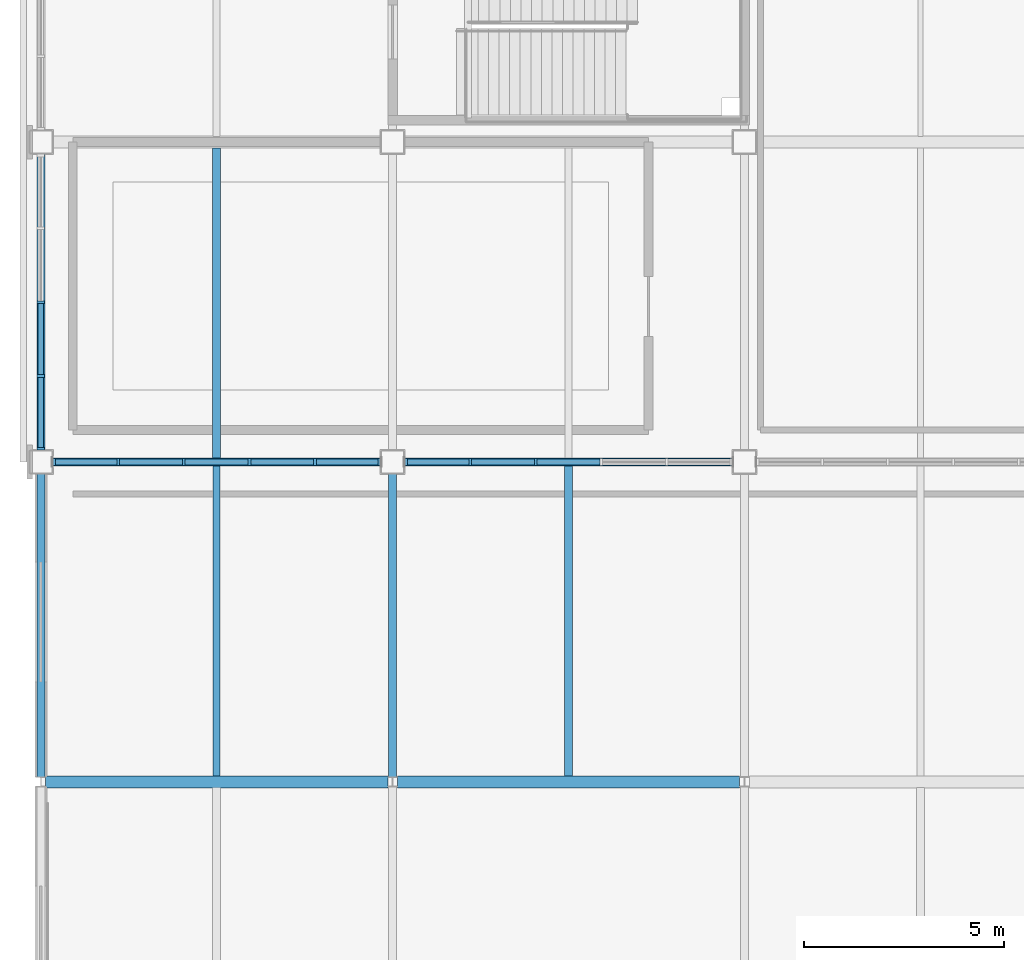
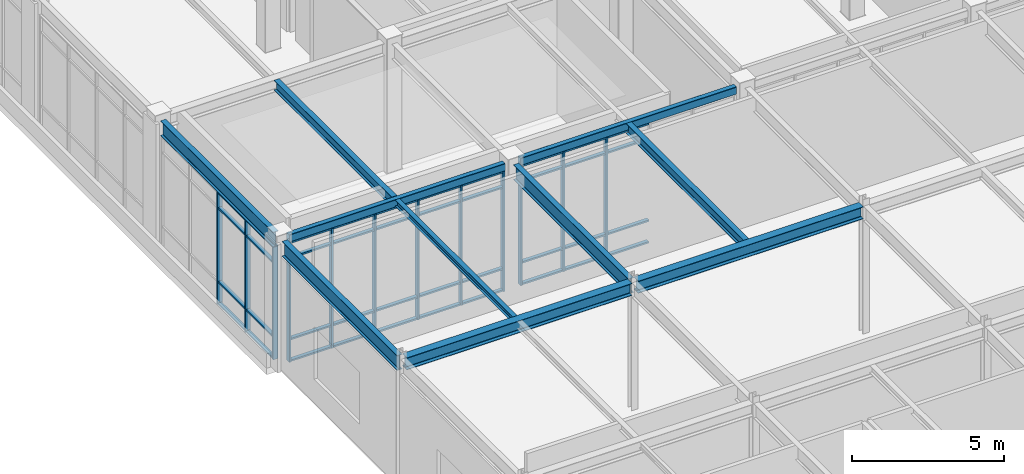
# One storey, part 28 of 184: 52 members, 10 beams, 3 elements without a shape of their own.
"""IFC4 building model written with IfcOpenShell, lengths in metres."""

from ifc_helpers import new_model, si_unit, direction, frame, origin, origin_2d, place, context, subcontext, project, spatial, rectangle, hollow_rectangle, i_section, extrude, material, material_profile, profile_set, type_object, element, aggregate, save


model = new_model("IFC4")

# Units and contexts
model_context = context("Model", 3, precision=1e-05, world=origin(), true_north=direction((0.0, 1.0)))
body_context = subcontext(model_context, "Body", "Model", "MODEL_VIEW")
ifc_project = project(units=[si_unit("LENGTHUNIT", "METRE"), si_unit("AREAUNIT", "SQUARE_METRE"), si_unit("VOLUMEUNIT", "CUBIC_METRE"), si_unit("PLANEANGLEUNIT", "RADIAN"), si_unit("MASSUNIT", "GRAM", prefix="KILO")], contexts=[model_context])

# Site, building, storey
site_placement = place(None, origin())
site = spatial("IfcSite", under=ifc_project, at=site_placement, CompositionType="ELEMENT")
building_placement = place(site_placement, origin())
building = spatial("IfcBuilding", under=site, at=building_placement, Name="Zhaolan Boulevard Law Courts", CompositionType="ELEMENT")
storey_placement = place(building_placement, frame((0.0, 0.0, 5.39990234375)))
storey = spatial("IfcBuildingStorey", under=building, at=storey_placement, Name="L01", CompositionType="ELEMENT", Elevation=5.39990234375)

# Curtain wall, members
ifc_material_1 = material(Name="Thermally broken aluminium and low-E glazing", Category="aluminium")
curtain_wall_type_1 = type_object("IfcCurtainWallType", Name="CURTAIN WALL M19", PredefinedType="USERDEFINED", material=ifc_material_1)
curtain_wall_1_placement = place(storey_placement, origin())
curtain_wall_1 = element("IfcCurtainWall", 1, at=curtain_wall_1_placement, inside=storey, type_object=curtain_wall_type_1, Name="Curtain Wall CW-L01-043", ObjectType="CURTAIN WALL", PredefinedType="USERDEFINED")
ifc_material_2 = material(Name="Fluorocarbon-coated aluminium 6063-T6", Category="aluminium")
ifc_material_profile_1 = material_profile(ifc_material_2, rectangle(XDim=0.179931640625, YDim=0.06494140625, at=origin_2d()), Name="AL65x180")
ifc_profile_set_1 = profile_set([ifc_material_profile_1], Name="Fluorocarbon-coated aluminium 6063-T6")
member_type_1 = type_object("IfcMemberType", Name="CWMULLION 65X180", PredefinedType="MULLION", material=ifc_profile_set_1)
member_1_placement = place(storey_placement, frame((8.465576171875, 30.0, 0.0), z_axis=(0.0, 0.0, 1.0), x_axis=(0.0, -1.0, 0.0)))
member_1 = element("IfcMember", 2, at=member_1_placement, type_object=member_type_1, Name="CW-L01-043 mullion 1", PredefinedType="MULLION", context=body_context, shape_type="SweptSolid", body=[
    extrude(rectangle(XDim=0.179931640625, YDim=0.06494140625, at=origin_2d()), origin(), (0.0, 0.0, 1.0), 4.822998046875),
])
member_2_placement = place(storey_placement, frame((6.85888671875, 30.0, 0.0), z_axis=(0.0, 0.0, 1.0), x_axis=(0.0, -1.0, 0.0)))
member_2 = element("IfcMember", 3, at=member_2_placement, type_object=member_type_1, Name="CW-L01-043 mullion 2", PredefinedType="MULLION", context=body_context, shape_type="SweptSolid", body=[
    extrude(rectangle(XDim=0.179931640625, YDim=0.06494140625, at=origin_2d()), origin(), (0.0, 0.0, 1.0), 4.822998046875),
])
member_3_placement = place(storey_placement, frame((5.219482421875, 30.0, 0.0), z_axis=(0.0, 0.0, 1.0), x_axis=(0.0, -1.0, 0.0)))
member_3 = element("IfcMember", 4, at=member_3_placement, type_object=member_type_1, Name="CW-L01-043 mullion 3", PredefinedType="MULLION", context=body_context, shape_type="SweptSolid", body=[
    extrude(rectangle(XDim=0.179931640625, YDim=0.06494140625, at=origin_2d()), origin(), (0.0, 0.0, 1.0), 4.822998046875),
])
member_4_placement = place(storey_placement, frame((3.580322265625, 30.0, 0.0), z_axis=(0.0, 0.0, 1.0), x_axis=(0.0, -1.0, 0.0)))
member_4 = element("IfcMember", 5, at=member_4_placement, type_object=member_type_1, Name="CW-L01-043 mullion 4", PredefinedType="MULLION", context=body_context, shape_type="SweptSolid", body=[
    extrude(rectangle(XDim=0.179931640625, YDim=0.06494140625, at=origin_2d()), origin(), (0.0, 0.0, 1.0), 4.822998046875),
])
member_5_placement = place(storey_placement, frame((1.941162109375, 30.0, 0.0), z_axis=(0.0, 0.0, 1.0), x_axis=(0.0, -1.0, 0.0)))
member_5 = element("IfcMember", 6, at=member_5_placement, type_object=member_type_1, Name="CW-L01-043 mullion 5", PredefinedType="MULLION", context=body_context, shape_type="SweptSolid", body=[
    extrude(rectangle(XDim=0.179931640625, YDim=0.06494140625, at=origin_2d()), origin(), (0.0, 0.0, 1.0), 4.822998046875),
])
member_6_placement = place(storey_placement, frame((0.33447265625, 30.0, 0.0), z_axis=(0.0, 0.0, 1.0), x_axis=(0.0, -1.0, 0.0)))
member_6 = element("IfcMember", 7, at=member_6_placement, type_object=member_type_1, Name="CW-L01-043 mullion 6", PredefinedType="MULLION", context=body_context, shape_type="SweptSolid", body=[
    extrude(rectangle(XDim=0.179931640625, YDim=0.06494140625, at=origin_2d()), origin(), (0.0, 0.0, 1.0), 4.822998046875),
])

ifc_material_3 = material(Name="Thermally broken aluminium and low-E glazing", Category="aluminium")
curtain_wall_type_2 = type_object("IfcCurtainWallType", Name="CURTAIN WALL M20", PredefinedType="USERDEFINED", material=ifc_material_3)
curtain_wall_2_placement = place(storey_placement, origin())
curtain_wall_2 = element("IfcCurtainWall", 8, at=curtain_wall_2_placement, inside=storey, type_object=curtain_wall_type_2, Name="Curtain Wall CW-L01-044", ObjectType="CURTAIN WALL", PredefinedType="USERDEFINED")
member_7_placement = place(storey_placement, frame((12.38037109375, 30.0, 0.0), z_axis=(0.0, 0.0, 1.0), x_axis=(0.0, -1.0, 0.0)))
member_7 = element("IfcMember", 9, at=member_7_placement, type_object=member_type_1, Name="CW-L01-044 mullion 4", PredefinedType="MULLION", context=body_context, shape_type="SweptSolid", body=[
    extrude(rectangle(XDim=0.179931640625, YDim=0.06494140625, at=origin_2d()), origin(), (0.0, 0.0, 1.0), 4.822998046875),
])
member_8_placement = place(storey_placement, frame((10.7412109375, 30.0, 0.0), z_axis=(0.0, 0.0, 1.0), x_axis=(0.0, -1.0, 0.0)))
member_8 = element("IfcMember", 10, at=member_8_placement, type_object=member_type_1, Name="CW-L01-044 mullion 5", PredefinedType="MULLION", context=body_context, shape_type="SweptSolid", body=[
    extrude(rectangle(XDim=0.179931640625, YDim=0.06494140625, at=origin_2d()), origin(), (0.0, 0.0, 1.0), 4.822998046875),
])
member_9_placement = place(storey_placement, frame((9.134521484375, 30.0, 0.0), z_axis=(0.0, 0.0, 1.0), x_axis=(0.0, -1.0, 0.0)))
member_9 = element("IfcMember", 11, at=member_9_placement, type_object=member_type_1, Name="CW-L01-044 mullion 6", PredefinedType="MULLION", context=body_context, shape_type="SweptSolid", body=[
    extrude(rectangle(XDim=0.179931640625, YDim=0.06494140625, at=origin_2d()), origin(), (0.0, 0.0, 1.0), 4.822998046875),
])

curtain_wall_3_placement = place(storey_placement, origin())
curtain_wall_3 = element("IfcCurtainWall", 12, at=curtain_wall_3_placement, inside=storey, type_object=curtain_wall_type_1, Name="Curtain Wall CW-L01-139", ObjectType="CURTAIN WALL", PredefinedType="USERDEFINED")
member_10_placement = place(storey_placement, frame((0.0, 34.0, 0.0), z_axis=(0.0, 0.0, 1.0), x_axis=(1.0, 0.0, 0.0)))
member_10 = element("IfcMember", 13, at=member_10_placement, type_object=member_type_1, Name="CW-L01-139 mullion 3", PredefinedType="MULLION", context=body_context, shape_type="SweptSolid", body=[
    extrude(rectangle(XDim=0.179931640625, YDim=0.06494140625, at=origin_2d()), origin(), (0.0, 0.0, 1.0), 4.523193359375),
])
member_11_placement = place(storey_placement, frame((0.0, 32.15087890625, 0.0), z_axis=(0.0, 0.0, 1.0), x_axis=(1.0, 0.0, 0.0)))
member_11 = element("IfcMember", 14, at=member_11_placement, type_object=member_type_1, Name="CW-L01-139 mullion 4", PredefinedType="MULLION", context=body_context, shape_type="SweptSolid", body=[
    extrude(rectangle(XDim=0.179931640625, YDim=0.06494140625, at=origin_2d()), origin(), (0.0, 0.0, 1.0), 4.523193359375),
])
member_12_placement = place(storey_placement, frame((0.0, 30.33447265625, 0.0), z_axis=(0.0, 0.0, 1.0), x_axis=(1.0, 0.0, 0.0)))
member_12 = element("IfcMember", 15, at=member_12_placement, type_object=member_type_1, Name="CW-L01-139 mullion 5", PredefinedType="MULLION", context=body_context, shape_type="SweptSolid", body=[
    extrude(rectangle(XDim=0.179931640625, YDim=0.06494140625, at=origin_2d()), origin(), (0.0, 0.0, 1.0), 4.523193359375),
])

# Member
ifc_material_4 = material(Name="Fluorocarbon-coated aluminium 6063-T6", Category="aluminium")
ifc_material_profile_2 = material_profile(ifc_material_4, rectangle(XDim=0.139892578125, YDim=0.06494140625, at=origin_2d()), Name="AL65x140")
ifc_profile_set_2 = profile_set([ifc_material_profile_2], Name="Fluorocarbon-coated aluminium 6063-T6")
member_type_2 = type_object("IfcMemberType", Name="CWTRANSOM 65X140", PredefinedType="USERDEFINED", material=ifc_profile_set_2)
member_13_placement = place(storey_placement, frame((8.43310546875, 30.0, 0.03271484375), z_axis=(-1.0, 0.0, 0.0), x_axis=(0.0, -1.0, 0.0)))
member_13 = element("IfcMember", 16, at=member_13_placement, type_object=member_type_2, Name="CW-L01-043 transom 1.1", ObjectType="TRANSOM", PredefinedType="USERDEFINED", context=body_context, shape_type="SweptSolid", body=[
    extrude(rectangle(XDim=0.139892578125, YDim=0.06494140625, at=origin_2d()), origin(), (0.0, 0.0, 1.0), 1.541748046875),
])

member_14_placement = place(storey_placement, frame((8.43310546875, 30.0, 0.900146484375), z_axis=(-1.0, 0.0, 0.0), x_axis=(0.0, -1.0, 0.0)))
member_14 = element("IfcMember", 17, at=member_14_placement, type_object=member_type_2, Name="CW-L01-043 transom 1.2", ObjectType="TRANSOM", PredefinedType="USERDEFINED", context=body_context, shape_type="SweptSolid", body=[
    extrude(rectangle(XDim=0.139892578125, YDim=0.06494140625, at=origin_2d()), origin(), (0.0, 0.0, 1.0), 1.541748046875),
])

member_15_placement = place(storey_placement, frame((8.43310546875, 30.0, 4.173095703125), z_axis=(-1.0, 0.0, 0.0), x_axis=(0.0, -1.0, 0.0)))
member_15 = element("IfcMember", 18, at=member_15_placement, type_object=member_type_2, Name="CW-L01-043 transom 1.3", ObjectType="TRANSOM", PredefinedType="USERDEFINED", context=body_context, shape_type="SweptSolid", body=[
    extrude(rectangle(XDim=0.139892578125, YDim=0.06494140625, at=origin_2d()), origin(), (0.0, 0.0, 1.0), 1.541748046875),
])

member_16_placement = place(storey_placement, frame((8.43310546875, 30.0, 4.79052734375), z_axis=(-1.0, 0.0, 0.0), x_axis=(0.0, -1.0, 0.0)))
member_16 = element("IfcMember", 19, at=member_16_placement, type_object=member_type_2, Name="CW-L01-043 transom 1.4", ObjectType="TRANSOM", PredefinedType="USERDEFINED", context=body_context, shape_type="SweptSolid", body=[
    extrude(rectangle(XDim=0.139892578125, YDim=0.06494140625, at=origin_2d()), origin(), (0.0, 0.0, 1.0), 1.541748046875),
])

member_17_placement = place(storey_placement, frame((6.826416015625, 30.0, 0.03271484375), z_axis=(-1.0, 0.0, 0.0), x_axis=(0.0, -1.0, 0.0)))
member_17 = element("IfcMember", 20, at=member_17_placement, type_object=member_type_2, Name="CW-L01-043 transom 2.1", ObjectType="TRANSOM", PredefinedType="USERDEFINED", context=body_context, shape_type="SweptSolid", body=[
    extrude(rectangle(XDim=0.139892578125, YDim=0.06494140625, at=origin_2d()), origin(), (0.0, 0.0, 1.0), 1.57421875),
])

member_18_placement = place(storey_placement, frame((6.826416015625, 30.0, 0.900146484375), z_axis=(-1.0, 0.0, 0.0), x_axis=(0.0, -1.0, 0.0)))
member_18 = element("IfcMember", 21, at=member_18_placement, type_object=member_type_2, Name="CW-L01-043 transom 2.2", ObjectType="TRANSOM", PredefinedType="USERDEFINED", context=body_context, shape_type="SweptSolid", body=[
    extrude(rectangle(XDim=0.139892578125, YDim=0.06494140625, at=origin_2d()), origin(), (0.0, 0.0, 1.0), 1.57421875),
])

member_19_placement = place(storey_placement, frame((6.826416015625, 30.0, 4.173095703125), z_axis=(-1.0, 0.0, 0.0), x_axis=(0.0, -1.0, 0.0)))
member_19 = element("IfcMember", 22, at=member_19_placement, type_object=member_type_2, Name="CW-L01-043 transom 2.3", ObjectType="TRANSOM", PredefinedType="USERDEFINED", context=body_context, shape_type="SweptSolid", body=[
    extrude(rectangle(XDim=0.139892578125, YDim=0.06494140625, at=origin_2d()), origin(), (0.0, 0.0, 1.0), 1.57421875),
])

member_20_placement = place(storey_placement, frame((6.826416015625, 30.0, 4.79052734375), z_axis=(-1.0, 0.0, 0.0), x_axis=(0.0, -1.0, 0.0)))
member_20 = element("IfcMember", 23, at=member_20_placement, type_object=member_type_2, Name="CW-L01-043 transom 2.4", ObjectType="TRANSOM", PredefinedType="USERDEFINED", context=body_context, shape_type="SweptSolid", body=[
    extrude(rectangle(XDim=0.139892578125, YDim=0.06494140625, at=origin_2d()), origin(), (0.0, 0.0, 1.0), 1.57421875),
])

member_21_placement = place(storey_placement, frame((5.18701171875, 30.0, 0.03271484375), z_axis=(-1.0, 0.0, 0.0), x_axis=(0.0, -1.0, 0.0)))
member_21 = element("IfcMember", 24, at=member_21_placement, type_object=member_type_2, Name="CW-L01-043 transom 3.1", ObjectType="TRANSOM", PredefinedType="USERDEFINED", context=body_context, shape_type="SweptSolid", body=[
    extrude(rectangle(XDim=0.139892578125, YDim=0.06494140625, at=origin_2d()), origin(), (0.0, 0.0, 1.0), 1.57421875),
])

member_22_placement = place(storey_placement, frame((5.18701171875, 30.0, 0.900146484375), z_axis=(-1.0, 0.0, 0.0), x_axis=(0.0, -1.0, 0.0)))
member_22 = element("IfcMember", 25, at=member_22_placement, type_object=member_type_2, Name="CW-L01-043 transom 3.2", ObjectType="TRANSOM", PredefinedType="USERDEFINED", context=body_context, shape_type="SweptSolid", body=[
    extrude(rectangle(XDim=0.139892578125, YDim=0.06494140625, at=origin_2d()), origin(), (0.0, 0.0, 1.0), 1.57421875),
])

member_23_placement = place(storey_placement, frame((5.18701171875, 30.0, 4.173095703125), z_axis=(-1.0, 0.0, 0.0), x_axis=(0.0, -1.0, 0.0)))
member_23 = element("IfcMember", 26, at=member_23_placement, type_object=member_type_2, Name="CW-L01-043 transom 3.3", ObjectType="TRANSOM", PredefinedType="USERDEFINED", context=body_context, shape_type="SweptSolid", body=[
    extrude(rectangle(XDim=0.139892578125, YDim=0.06494140625, at=origin_2d()), origin(), (0.0, 0.0, 1.0), 1.57421875),
])

member_24_placement = place(storey_placement, frame((5.18701171875, 30.0, 4.79052734375), z_axis=(-1.0, 0.0, 0.0), x_axis=(0.0, -1.0, 0.0)))
member_24 = element("IfcMember", 27, at=member_24_placement, type_object=member_type_2, Name="CW-L01-043 transom 3.4", ObjectType="TRANSOM", PredefinedType="USERDEFINED", context=body_context, shape_type="SweptSolid", body=[
    extrude(rectangle(XDim=0.139892578125, YDim=0.06494140625, at=origin_2d()), origin(), (0.0, 0.0, 1.0), 1.57421875),
])

member_25_placement = place(storey_placement, frame((3.5478515625, 30.0, 0.03271484375), z_axis=(-1.0, 0.0, 0.0), x_axis=(0.0, -1.0, 0.0)))
member_25 = element("IfcMember", 28, at=member_25_placement, type_object=member_type_2, Name="CW-L01-043 transom 4.1", ObjectType="TRANSOM", PredefinedType="USERDEFINED", context=body_context, shape_type="SweptSolid", body=[
    extrude(rectangle(XDim=0.139892578125, YDim=0.06494140625, at=origin_2d()), origin(), (0.0, 0.0, 1.0), 1.57421875),
])

member_26_placement = place(storey_placement, frame((3.5478515625, 30.0, 0.900146484375), z_axis=(-1.0, 0.0, 0.0), x_axis=(0.0, -1.0, 0.0)))
member_26 = element("IfcMember", 29, at=member_26_placement, type_object=member_type_2, Name="CW-L01-043 transom 4.2", ObjectType="TRANSOM", PredefinedType="USERDEFINED", context=body_context, shape_type="SweptSolid", body=[
    extrude(rectangle(XDim=0.139892578125, YDim=0.06494140625, at=origin_2d()), origin(), (0.0, 0.0, 1.0), 1.57421875),
])

member_27_placement = place(storey_placement, frame((3.5478515625, 30.0, 4.173095703125), z_axis=(-1.0, 0.0, 0.0), x_axis=(0.0, -1.0, 0.0)))
member_27 = element("IfcMember", 30, at=member_27_placement, type_object=member_type_2, Name="CW-L01-043 transom 4.3", ObjectType="TRANSOM", PredefinedType="USERDEFINED", context=body_context, shape_type="SweptSolid", body=[
    extrude(rectangle(XDim=0.139892578125, YDim=0.06494140625, at=origin_2d()), origin(), (0.0, 0.0, 1.0), 1.57421875),
])

member_28_placement = place(storey_placement, frame((3.5478515625, 30.0, 4.79052734375), z_axis=(-1.0, 0.0, 0.0), x_axis=(0.0, -1.0, 0.0)))
member_28 = element("IfcMember", 31, at=member_28_placement, type_object=member_type_2, Name="CW-L01-043 transom 4.4", ObjectType="TRANSOM", PredefinedType="USERDEFINED", context=body_context, shape_type="SweptSolid", body=[
    extrude(rectangle(XDim=0.139892578125, YDim=0.06494140625, at=origin_2d()), origin(), (0.0, 0.0, 1.0), 1.57421875),
])

member_29_placement = place(storey_placement, frame((1.90869140625, 30.0, 0.03271484375), z_axis=(-1.0, 0.0, 0.0), x_axis=(0.0, -1.0, 0.0)))
member_29 = element("IfcMember", 32, at=member_29_placement, type_object=member_type_2, Name="CW-L01-043 transom 5.1", ObjectType="TRANSOM", PredefinedType="USERDEFINED", context=body_context, shape_type="SweptSolid", body=[
    extrude(rectangle(XDim=0.139892578125, YDim=0.06494140625, at=origin_2d()), origin(), (0.0, 0.0, 1.0), 1.541748046875),
])

member_30_placement = place(storey_placement, frame((1.90869140625, 30.0, 0.900146484375), z_axis=(-1.0, 0.0, 0.0), x_axis=(0.0, -1.0, 0.0)))
member_30 = element("IfcMember", 33, at=member_30_placement, type_object=member_type_2, Name="CW-L01-043 transom 5.2", ObjectType="TRANSOM", PredefinedType="USERDEFINED", context=body_context, shape_type="SweptSolid", body=[
    extrude(rectangle(XDim=0.139892578125, YDim=0.06494140625, at=origin_2d()), origin(), (0.0, 0.0, 1.0), 1.541748046875),
])

member_31_placement = place(storey_placement, frame((1.90869140625, 30.0, 4.173095703125), z_axis=(-1.0, 0.0, 0.0), x_axis=(0.0, -1.0, 0.0)))
member_31 = element("IfcMember", 34, at=member_31_placement, type_object=member_type_2, Name="CW-L01-043 transom 5.3", ObjectType="TRANSOM", PredefinedType="USERDEFINED", context=body_context, shape_type="SweptSolid", body=[
    extrude(rectangle(XDim=0.139892578125, YDim=0.06494140625, at=origin_2d()), origin(), (0.0, 0.0, 1.0), 1.541748046875),
])

member_32_placement = place(storey_placement, frame((1.90869140625, 30.0, 4.79052734375), z_axis=(-1.0, 0.0, 0.0), x_axis=(0.0, -1.0, 0.0)))
member_32 = element("IfcMember", 35, at=member_32_placement, type_object=member_type_2, Name="CW-L01-043 transom 5.4", ObjectType="TRANSOM", PredefinedType="USERDEFINED", context=body_context, shape_type="SweptSolid", body=[
    extrude(rectangle(XDim=0.139892578125, YDim=0.06494140625, at=origin_2d()), origin(), (0.0, 0.0, 1.0), 1.541748046875),
])

aggregate(curtain_wall_1, [member_1, member_2, member_3, member_4, member_5, member_6, member_13, member_14, member_15, member_16, member_17, member_18, member_19, member_20, member_21, member_22, member_23, member_24, member_25, member_26, member_27, member_28, member_29, member_30, member_31, member_32])

member_33_placement = place(storey_placement, frame((13.987060546875, 30.0, 0.03271484375), z_axis=(-1.0, 0.0, 0.0), x_axis=(0.0, -1.0, 0.0)))
member_33 = element("IfcMember", 36, at=member_33_placement, type_object=member_type_2, Name="CW-L01-044 transom 3.1", ObjectType="TRANSOM", PredefinedType="USERDEFINED", context=body_context, shape_type="SweptSolid", body=[
    extrude(rectangle(XDim=0.139892578125, YDim=0.06494140625, at=origin_2d()), origin(), (0.0, 0.0, 1.0), 1.57421875),
])

member_34_placement = place(storey_placement, frame((13.987060546875, 30.0, 0.900146484375), z_axis=(-1.0, 0.0, 0.0), x_axis=(0.0, -1.0, 0.0)))
member_34 = element("IfcMember", 37, at=member_34_placement, type_object=member_type_2, Name="CW-L01-044 transom 3.2", ObjectType="TRANSOM", PredefinedType="USERDEFINED", context=body_context, shape_type="SweptSolid", body=[
    extrude(rectangle(XDim=0.139892578125, YDim=0.06494140625, at=origin_2d()), origin(), (0.0, 0.0, 1.0), 1.57421875),
])

member_35_placement = place(storey_placement, frame((13.987060546875, 30.0, 4.173095703125), z_axis=(-1.0, 0.0, 0.0), x_axis=(0.0, -1.0, 0.0)))
member_35 = element("IfcMember", 38, at=member_35_placement, type_object=member_type_2, Name="CW-L01-044 transom 3.3", ObjectType="TRANSOM", PredefinedType="USERDEFINED", context=body_context, shape_type="SweptSolid", body=[
    extrude(rectangle(XDim=0.139892578125, YDim=0.06494140625, at=origin_2d()), origin(), (0.0, 0.0, 1.0), 1.57421875),
])

member_36_placement = place(storey_placement, frame((13.987060546875, 30.0, 4.79052734375), z_axis=(-1.0, 0.0, 0.0), x_axis=(0.0, -1.0, 0.0)))
member_36 = element("IfcMember", 39, at=member_36_placement, type_object=member_type_2, Name="CW-L01-044 transom 3.4", ObjectType="TRANSOM", PredefinedType="USERDEFINED", context=body_context, shape_type="SweptSolid", body=[
    extrude(rectangle(XDim=0.139892578125, YDim=0.06494140625, at=origin_2d()), origin(), (0.0, 0.0, 1.0), 1.57421875),
])

member_37_placement = place(storey_placement, frame((12.347900390625, 30.0, 0.03271484375), z_axis=(-1.0, 0.0, 0.0), x_axis=(0.0, -1.0, 0.0)))
member_37 = element("IfcMember", 40, at=member_37_placement, type_object=member_type_2, Name="CW-L01-044 transom 4.1", ObjectType="TRANSOM", PredefinedType="USERDEFINED", context=body_context, shape_type="SweptSolid", body=[
    extrude(rectangle(XDim=0.139892578125, YDim=0.06494140625, at=origin_2d()), origin(), (0.0, 0.0, 1.0), 1.57421875),
])

member_38_placement = place(storey_placement, frame((12.347900390625, 30.0, 0.900146484375), z_axis=(-1.0, 0.0, 0.0), x_axis=(0.0, -1.0, 0.0)))
member_38 = element("IfcMember", 41, at=member_38_placement, type_object=member_type_2, Name="CW-L01-044 transom 4.2", ObjectType="TRANSOM", PredefinedType="USERDEFINED", context=body_context, shape_type="SweptSolid", body=[
    extrude(rectangle(XDim=0.139892578125, YDim=0.06494140625, at=origin_2d()), origin(), (0.0, 0.0, 1.0), 1.57421875),
])

member_39_placement = place(storey_placement, frame((12.347900390625, 30.0, 4.173095703125), z_axis=(-1.0, 0.0, 0.0), x_axis=(0.0, -1.0, 0.0)))
member_39 = element("IfcMember", 42, at=member_39_placement, type_object=member_type_2, Name="CW-L01-044 transom 4.3", ObjectType="TRANSOM", PredefinedType="USERDEFINED", context=body_context, shape_type="SweptSolid", body=[
    extrude(rectangle(XDim=0.139892578125, YDim=0.06494140625, at=origin_2d()), origin(), (0.0, 0.0, 1.0), 1.57421875),
])

member_40_placement = place(storey_placement, frame((12.347900390625, 30.0, 4.79052734375), z_axis=(-1.0, 0.0, 0.0), x_axis=(0.0, -1.0, 0.0)))
member_40 = element("IfcMember", 43, at=member_40_placement, type_object=member_type_2, Name="CW-L01-044 transom 4.4", ObjectType="TRANSOM", PredefinedType="USERDEFINED", context=body_context, shape_type="SweptSolid", body=[
    extrude(rectangle(XDim=0.139892578125, YDim=0.06494140625, at=origin_2d()), origin(), (0.0, 0.0, 1.0), 1.57421875),
])

member_41_placement = place(storey_placement, frame((10.708740234375, 30.0, 0.03271484375), z_axis=(-1.0, 0.0, 0.0), x_axis=(0.0, -1.0, 0.0)))
member_41 = element("IfcMember", 44, at=member_41_placement, type_object=member_type_2, Name="CW-L01-044 transom 5.1", ObjectType="TRANSOM", PredefinedType="USERDEFINED", context=body_context, shape_type="SweptSolid", body=[
    extrude(rectangle(XDim=0.139892578125, YDim=0.06494140625, at=origin_2d()), origin(), (0.0, 0.0, 1.0), 1.541748046875),
])

member_42_placement = place(storey_placement, frame((10.708740234375, 30.0, 0.900146484375), z_axis=(-1.0, 0.0, 0.0), x_axis=(0.0, -1.0, 0.0)))
member_42 = element("IfcMember", 45, at=member_42_placement, type_object=member_type_2, Name="CW-L01-044 transom 5.2", ObjectType="TRANSOM", PredefinedType="USERDEFINED", context=body_context, shape_type="SweptSolid", body=[
    extrude(rectangle(XDim=0.139892578125, YDim=0.06494140625, at=origin_2d()), origin(), (0.0, 0.0, 1.0), 1.541748046875),
])

member_43_placement = place(storey_placement, frame((10.708740234375, 30.0, 4.173095703125), z_axis=(-1.0, 0.0, 0.0), x_axis=(0.0, -1.0, 0.0)))
member_43 = element("IfcMember", 46, at=member_43_placement, type_object=member_type_2, Name="CW-L01-044 transom 5.3", ObjectType="TRANSOM", PredefinedType="USERDEFINED", context=body_context, shape_type="SweptSolid", body=[
    extrude(rectangle(XDim=0.139892578125, YDim=0.06494140625, at=origin_2d()), origin(), (0.0, 0.0, 1.0), 1.541748046875),
])

member_44_placement = place(storey_placement, frame((10.708740234375, 30.0, 4.79052734375), z_axis=(-1.0, 0.0, 0.0), x_axis=(0.0, -1.0, 0.0)))
member_44 = element("IfcMember", 47, at=member_44_placement, type_object=member_type_2, Name="CW-L01-044 transom 5.4", ObjectType="TRANSOM", PredefinedType="USERDEFINED", context=body_context, shape_type="SweptSolid", body=[
    extrude(rectangle(XDim=0.139892578125, YDim=0.06494140625, at=origin_2d()), origin(), (0.0, 0.0, 1.0), 1.541748046875),
])

aggregate(curtain_wall_2, [member_7, member_8, member_9, member_33, member_34, member_35, member_36, member_37, member_38, member_39, member_40, member_41, member_42, member_43, member_44])

member_45_placement = place(storey_placement, frame((0.0, 33.967529296875, 0.03271484375), z_axis=(0.0, -1.0, 0.0), x_axis=(1.0, 0.0, 0.0)))
member_45 = element("IfcMember", 48, at=member_45_placement, type_object=member_type_2, Name="CW-L01-139 transom 3.1", ObjectType="TRANSOM", PredefinedType="USERDEFINED", context=body_context, shape_type="SweptSolid", body=[
    extrude(rectangle(XDim=0.139892578125, YDim=0.06494140625, at=origin_2d()), origin(), (0.0, 0.0, 1.0), 1.783935546875),
])

member_46_placement = place(storey_placement, frame((0.0, 33.967529296875, 0.900146484375), z_axis=(0.0, -1.0, 0.0), x_axis=(1.0, 0.0, 0.0)))
member_46 = element("IfcMember", 49, at=member_46_placement, type_object=member_type_2, Name="CW-L01-139 transom 3.2", ObjectType="TRANSOM", PredefinedType="USERDEFINED", context=body_context, shape_type="SweptSolid", body=[
    extrude(rectangle(XDim=0.139892578125, YDim=0.06494140625, at=origin_2d()), origin(), (0.0, 0.0, 1.0), 1.783935546875),
])

member_47_placement = place(storey_placement, frame((0.0, 33.967529296875, 3.873046875), z_axis=(0.0, -1.0, 0.0), x_axis=(1.0, 0.0, 0.0)))
member_47 = element("IfcMember", 50, at=member_47_placement, type_object=member_type_2, Name="CW-L01-139 transom 3.3", ObjectType="TRANSOM", PredefinedType="USERDEFINED", context=body_context, shape_type="SweptSolid", body=[
    extrude(rectangle(XDim=0.139892578125, YDim=0.06494140625, at=origin_2d()), origin(), (0.0, 0.0, 1.0), 1.783935546875),
])

member_48_placement = place(storey_placement, frame((0.0, 33.967529296875, 4.490478515625), z_axis=(0.0, -1.0, 0.0), x_axis=(1.0, 0.0, 0.0)))
member_48 = element("IfcMember", 51, at=member_48_placement, type_object=member_type_2, Name="CW-L01-139 transom 3.4", ObjectType="TRANSOM", PredefinedType="USERDEFINED", context=body_context, shape_type="SweptSolid", body=[
    extrude(rectangle(XDim=0.139892578125, YDim=0.06494140625, at=origin_2d()), origin(), (0.0, 0.0, 1.0), 1.783935546875),
])

member_49_placement = place(storey_placement, frame((0.0, 32.118408203125, 0.03271484375), z_axis=(0.0, -1.0, 0.0), x_axis=(1.0, 0.0, 0.0)))
member_49 = element("IfcMember", 52, at=member_49_placement, type_object=member_type_2, Name="CW-L01-139 transom 4.1", ObjectType="TRANSOM", PredefinedType="USERDEFINED", context=body_context, shape_type="SweptSolid", body=[
    extrude(rectangle(XDim=0.139892578125, YDim=0.06494140625, at=origin_2d()), origin(), (0.0, 0.0, 1.0), 1.75146484375),
])

member_50_placement = place(storey_placement, frame((0.0, 32.118408203125, 0.900146484375), z_axis=(0.0, -1.0, 0.0), x_axis=(1.0, 0.0, 0.0)))
member_50 = element("IfcMember", 53, at=member_50_placement, type_object=member_type_2, Name="CW-L01-139 transom 4.2", ObjectType="TRANSOM", PredefinedType="USERDEFINED", context=body_context, shape_type="SweptSolid", body=[
    extrude(rectangle(XDim=0.139892578125, YDim=0.06494140625, at=origin_2d()), origin(), (0.0, 0.0, 1.0), 1.75146484375),
])

member_51_placement = place(storey_placement, frame((0.0, 32.118408203125, 3.873046875), z_axis=(0.0, -1.0, 0.0), x_axis=(1.0, 0.0, 0.0)))
member_51 = element("IfcMember", 54, at=member_51_placement, type_object=member_type_2, Name="CW-L01-139 transom 4.3", ObjectType="TRANSOM", PredefinedType="USERDEFINED", context=body_context, shape_type="SweptSolid", body=[
    extrude(rectangle(XDim=0.139892578125, YDim=0.06494140625, at=origin_2d()), origin(), (0.0, 0.0, 1.0), 1.75146484375),
])

member_52_placement = place(storey_placement, frame((0.0, 32.118408203125, 4.490478515625), z_axis=(0.0, -1.0, 0.0), x_axis=(1.0, 0.0, 0.0)))
member_52 = element("IfcMember", 55, at=member_52_placement, type_object=member_type_2, Name="CW-L01-139 transom 4.4", ObjectType="TRANSOM", PredefinedType="USERDEFINED", context=body_context, shape_type="SweptSolid", body=[
    extrude(rectangle(XDim=0.139892578125, YDim=0.06494140625, at=origin_2d()), origin(), (0.0, 0.0, 1.0), 1.75146484375),
])

aggregate(curtain_wall_3, [member_10, member_11, member_12, member_45, member_46, member_47, member_48, member_49, member_50, member_51, member_52])

# Beams
ifc_material_5 = material(Name="Structural steel Q355B", Category="steel")
ifc_material_profile_3 = material_profile(ifc_material_5, i_section(OverallWidth=0.300048828125, OverallDepth=0.488037109375, WebThickness=0.010986328125, FlangeThickness=0.01806640625, FilletRadius=0.02197265625, at=origin_2d()), Name="HM488x300")
ifc_profile_set_3 = profile_set([ifc_material_profile_3], Name="Structural steel Q355B")
beam_type_1 = type_object("IfcBeamType", Name="GIRDER HM500", PredefinedType="BEAM", material=ifc_profile_set_3)
beam_1_placement = place(storey_placement, frame((0.12109375, 22.0, 4.89404296875), z_axis=(1.0, 0.0, 0.0), x_axis=(0.0, 1.0, 0.0)))
element("IfcBeam", 56, at=beam_1_placement, inside=storey, type_object=beam_type_1, Name="Beam BX-L02-1-2-D", PredefinedType="BEAM", context=body_context, shape_type="SweptSolid", body=[
    extrude(i_section(OverallWidth=0.300048828125, OverallDepth=0.488037109375, WebThickness=0.010986328125, FlangeThickness=0.01806640625, FilletRadius=0.02197265625, at=origin_2d()), origin(), (0.0, 0.0, 1.0), 8.557861328125),
])
beam_2_placement = place(storey_placement, frame((8.9208984375, 22.0, 4.89404296875), z_axis=(1.0, 0.0, 0.0), x_axis=(0.0, 1.0, 0.0)))
element("IfcBeam", 57, at=beam_2_placement, inside=storey, type_object=beam_type_1, Name="Beam BX-L02-2-3-D", PredefinedType="BEAM", context=body_context, shape_type="SweptSolid", body=[
    extrude(i_section(OverallWidth=0.300048828125, OverallDepth=0.488037109375, WebThickness=0.010986328125, FlangeThickness=0.01806640625, FilletRadius=0.02197265625, at=origin_2d()), origin(), (0.0, 0.0, 1.0), 8.55810546875),
])
ifc_material_6 = material(Name="Structural steel Q355B", Category="steel")
ifc_material_profile_4 = material_profile(ifc_material_6, i_section(OverallWidth=0.199951171875, OverallDepth=0.60009765625, WebThickness=0.010986328125, FlangeThickness=0.01708984375, FilletRadius=0.02001953125, at=origin_2d()), Name="HN600x200")
ifc_profile_set_4 = profile_set([ifc_material_profile_4], Name="Structural steel Q355B")
beam_type_2 = type_object("IfcBeamType", Name="GIRDER HN600", PredefinedType="BEAM", material=ifc_profile_set_4)
beam_3_placement = place(storey_placement, frame((0.0, 22.12109375, 4.838134765625), z_axis=(0.0, 1.0, 0.0), x_axis=(-1.0, 0.0, 0.0)))
element("IfcBeam", 58, at=beam_3_placement, inside=storey, type_object=beam_type_2, Name="Beam BY-L02-1-D-E", PredefinedType="BEAM", context=body_context, shape_type="SweptSolid", body=[
    extrude(i_section(OverallWidth=0.199951171875, OverallDepth=0.60009765625, WebThickness=0.010986328125, FlangeThickness=0.01708984375, FilletRadius=0.02001953125, at=origin_2d()), origin(), (0.0, 0.0, 1.0), 7.5830078125),
])
beam_4_placement = place(storey_placement, frame((0.0, 30.2958984375, 4.838134765625), z_axis=(0.0, 1.0, 0.0), x_axis=(-1.0, 0.0, 0.0)))
element("IfcBeam", 59, at=beam_4_placement, inside=storey, type_object=beam_type_2, Name="Beam BY-L02-1-E-F", PredefinedType="BEAM", context=body_context, shape_type="SweptSolid", body=[
    extrude(i_section(OverallWidth=0.199951171875, OverallDepth=0.60009765625, WebThickness=0.010986328125, FlangeThickness=0.01708984375, FilletRadius=0.02001953125, at=origin_2d()), origin(), (0.0, 0.0, 1.0), 7.408203125),
])
beam_5_placement = place(storey_placement, frame((8.800048828125, 22.12109375, 4.838134765625), z_axis=(0.0, 1.0, 0.0), x_axis=(-1.0, 0.0, 0.0)))
element("IfcBeam", 60, at=beam_5_placement, inside=storey, type_object=beam_type_2, Name="Beam BY-L02-2-D-E", PredefinedType="BEAM", context=body_context, shape_type="SweptSolid", body=[
    extrude(i_section(OverallWidth=0.199951171875, OverallDepth=0.60009765625, WebThickness=0.010986328125, FlangeThickness=0.01708984375, FilletRadius=0.02001953125, at=origin_2d()), origin(), (0.0, 0.0, 1.0), 7.5830078125),
])
ifc_material_7 = material(Name="Structural steel Q355B", Category="steel")
ifc_material_profile_5 = material_profile(ifc_material_7, i_section(OverallWidth=0.175048828125, OverallDepth=0.243896484375, WebThickness=0.007080078125, FlangeThickness=0.010986328125, FilletRadius=0.012939453125, at=origin_2d()), Name="HM244x175")
ifc_profile_set_5 = profile_set([ifc_material_profile_5], Name="Structural steel Q355B")
beam_type_3 = type_object("IfcBeamType", Name="JOIST HM244", PredefinedType="JOIST", material=ifc_profile_set_5)
beam_6_placement = place(storey_placement, frame((4.39990234375, 22.14599609375, 5.01611328125), z_axis=(0.0, 1.0, 0.0), x_axis=(-1.0, 0.0, 0.0)))
element("IfcBeam", 61, at=beam_6_placement, inside=storey, type_object=beam_type_3, Name="Composite Joist J-L02-1D", PredefinedType="JOIST", context=body_context, shape_type="SweptSolid", body=[
    extrude(i_section(OverallWidth=0.175048828125, OverallDepth=0.243896484375, WebThickness=0.007080078125, FlangeThickness=0.010986328125, FilletRadius=0.012939453125, at=origin_2d()), origin(), (0.0, 0.0, 1.0), 7.758056640625),
])
ifc_material_8 = material(Name="Structural steel Q355B", Category="steel")
ifc_material_profile_6 = material_profile(ifc_material_8, i_section(OverallWidth=0.199951171875, OverallDepth=0.39990234375, WebThickness=0.008056640625, FlangeThickness=0.012939453125, FilletRadius=0.013916015625, at=origin_2d()), Name="HN400x200")
ifc_profile_set_6 = profile_set([ifc_material_profile_6], Name="Structural steel Q355B")
beam_type_4 = type_object("IfcBeamType", Name="JOIST HN400", PredefinedType="JOIST", material=ifc_profile_set_6)
for number, where, z_axis, x_axis, name in (
    (62, (4.39990234375, 30.095947265625, 4.93798828125), (0.0, 1.0, 0.0), (-1.0, 0.0, 0.0), "Composite Joist J-L02-1E"),
    (63, (13.199951171875, 22.14599609375, 4.93798828125), (0.0, 1.0, 0.0), (-1.0, 0.0, 0.0), "Composite Joist J-L02-2D"),
):
    element("IfcBeam", number, at=place(storey_placement, frame(where, z_axis=z_axis, x_axis=x_axis)), inside=storey, type_object=beam_type_4, Name=name, PredefinedType="JOIST", context=body_context, shape_type="SweptSolid", body=[
        extrude(i_section(OverallWidth=0.199951171875, OverallDepth=0.39990234375, WebThickness=0.008056640625, FlangeThickness=0.012939453125, FilletRadius=0.013916015625, at=origin_2d()), origin(), (0.0, 0.0, 1.0), 7.758056640625),
    ])
ifc_material_9 = material(Name="Structural steel Q355B", Category="steel")
ifc_material_profile_7 = material_profile(ifc_material_9, hollow_rectangle(XDim=0.199951171875, YDim=0.300048828125, WallThickness=0.011962890625, InnerFilletRadius=0.011962890625, OuterFilletRadius=0.02392578125, at=origin_2d()), Name="HSS300x200x12")
ifc_profile_set_7 = profile_set([ifc_material_profile_7], Name="Structural steel Q355B")
beam_type_5 = type_object("IfcBeamType", Name="SPANDREL HSS300", PredefinedType="SPANDREL", material=ifc_profile_set_7)
for number, where, z_axis, x_axis, name in (
    (64, (0.2958984375, 30.0, 4.988037109375), (1.0, 0.0, 0.0), (0.0, 1.0, 0.0), "Beam BX-L02-1-2-E"),
    (65, (9.095947265625, 30.0, 4.988037109375), (1.0, 0.0, 0.0), (0.0, 1.0, 0.0), "Beam BX-L02-2-3-E"),
):
    element("IfcBeam", number, at=place(storey_placement, frame(where, z_axis=z_axis, x_axis=x_axis)), inside=storey, type_object=beam_type_5, Name=name, PredefinedType="SPANDREL", context=body_context, shape_type="SweptSolid", body=[
        extrude(hollow_rectangle(XDim=0.199951171875, YDim=0.300048828125, WallThickness=0.011962890625, InnerFilletRadius=0.011962890625, OuterFilletRadius=0.02392578125, at=origin_2d()), origin(), (0.0, 0.0, 1.0), 8.2080078125),
    ])

save(model, "model.ifc")
